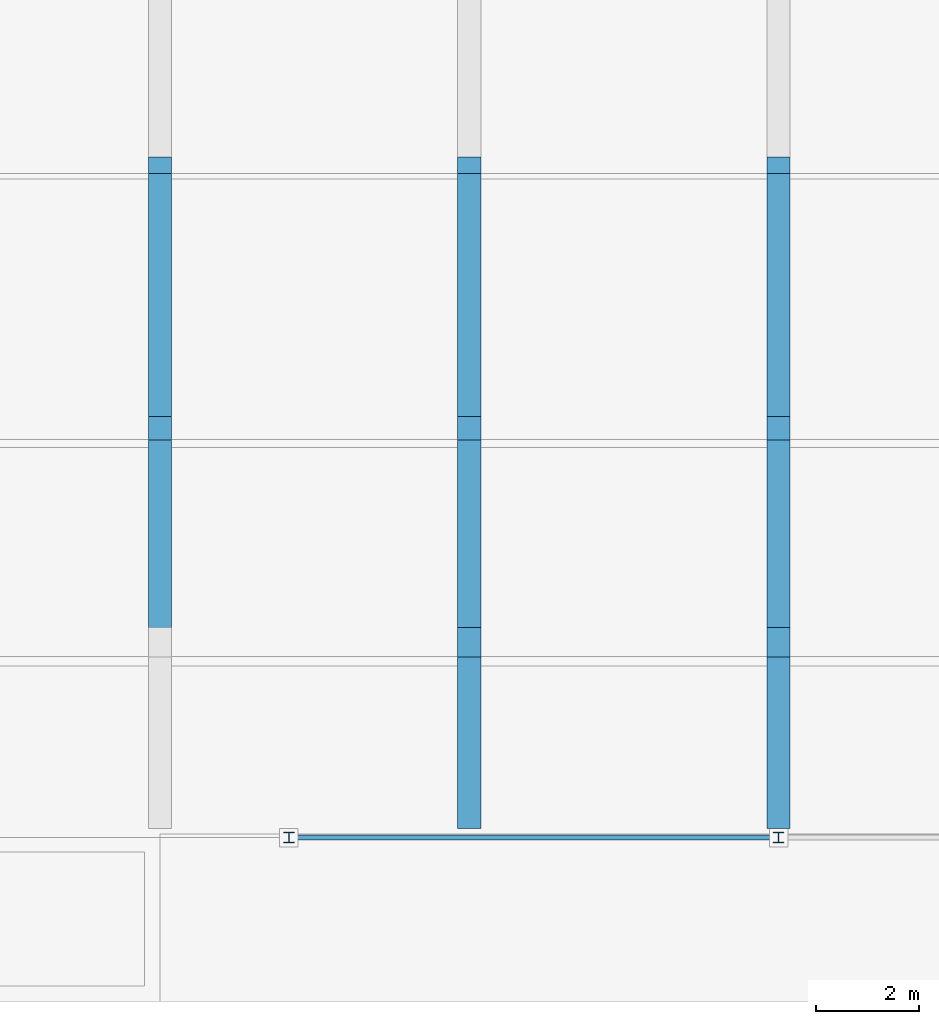
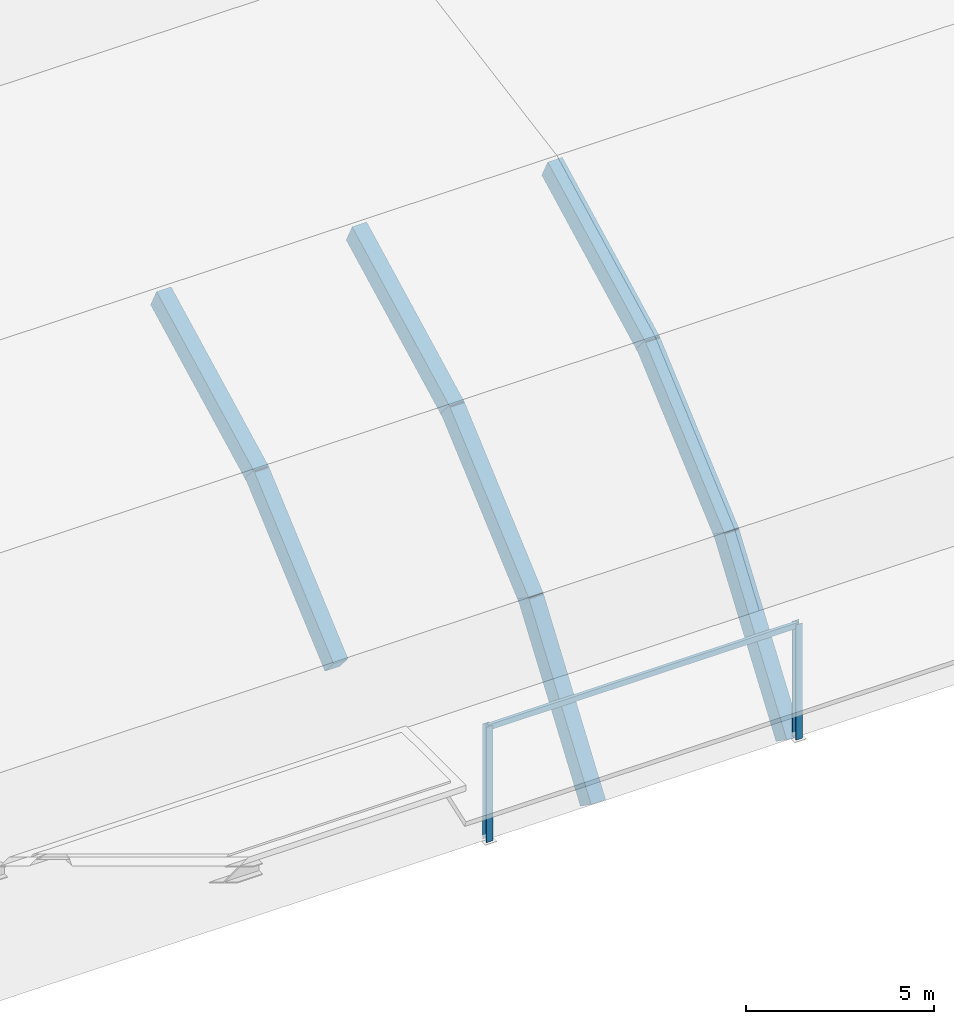
# One storey, part 15 of 42: 8 beams, 3 members.
"""IFC4 building model written with IfcOpenShell, lengths in metres."""

from ifc_helpers import new_model, si_unit, direction, frame, origin, origin_2d, place, context, subcontext, project, spatial, rectangle, hollow_rectangle, i_section, extrude, material, material_profile, profile_set, type_object, element, save


model = new_model("IFC4")

# Units and contexts
model_context = context("Model", 3, precision=1e-05, world=origin(), true_north=direction((0.0, 1.0)))
body_context = subcontext(model_context, "Body", "Model", "MODEL_VIEW")
ifc_project = project(units=[si_unit("LENGTHUNIT", "METRE"), si_unit("AREAUNIT", "SQUARE_METRE"), si_unit("VOLUMEUNIT", "CUBIC_METRE"), si_unit("PLANEANGLEUNIT", "RADIAN"), si_unit("MASSUNIT", "GRAM", prefix="KILO")], contexts=[model_context])

# Site, building, storey
site_placement = place(None, origin())
site = spatial("IfcSite", under=ifc_project, at=site_placement, CompositionType="ELEMENT")
building_placement = place(site_placement, origin())
building = spatial("IfcBuilding", under=site, at=building_placement, Name="Kelmvaro Bay Concert Hall", CompositionType="ELEMENT")
storey_placement = place(building_placement, frame((0.0, 0.0, 26.699951171875)))
storey = spatial("IfcBuildingStorey", under=building, at=storey_placement, Name="RF", CompositionType="ELEMENT", Elevation=26.699951171875)

# Members
ifc_material_1 = material(Name="Steel ASTM A992 Grade 50", Category="steel")
ifc_material_profile_1 = material_profile(ifc_material_1, i_section(OverallWidth=0.2041015625, OverallDepth=0.2060546875, WebThickness=0.0078125, FlangeThickness=0.0126953125, at=origin_2d()), Name="W8X35")
ifc_profile_set_1 = profile_set([ifc_material_profile_1], Name="Steel ASTM A992 Grade 50")
member_type_1 = type_object("IfcMemberType", Name="Crystal Eave Tie Strut W8x35", PredefinedType="STRUT", material=ifc_profile_set_1)
for number, where, z_axis, x_axis, name in (
    (1, (20.5, 68.580078125, -4.514892578125), (0.0, 0.0, 1.0), (1.0, 0.0, 0.0), "V1 Shoulder Post 066"),
    (2, (30.0, 68.580078125, -4.514892578125), (0.0, 0.0, 1.0), (1.0, 0.0, 0.0), "V1 Shoulder Post 067"),
):
    element("IfcMember", number, at=place(storey_placement, frame(where, z_axis=z_axis, x_axis=x_axis)), inside=storey, type_object=member_type_1, Name=name, PredefinedType="STRUT", context=body_context, shape_type="SweptSolid", body=[
        extrude(i_section(OverallWidth=0.2041015625, OverallDepth=0.2060546875, WebThickness=0.0078125, FlangeThickness=0.0126953125, at=origin_2d()), origin(), (0.0, 0.0, 1.0), 3.73486328125),
    ])

# Beams
ifc_material_2 = material(Name="Concrete C40/50", Category="concrete")
ifc_material_profile_2 = material_profile(ifc_material_2, rectangle(XDim=0.449951171875, YDim=0.699951171875, at=origin_2d()), Name="RC-BM-450X700")
ifc_profile_set_2 = profile_set([ifc_material_profile_2], Name="Concrete C40/50")
beam_type = type_object("IfcBeamType", Name="Perimeter Spandrel Beam RC450x700", PredefinedType="BEAM", material=ifc_profile_set_2)
beam_1_placement = place(storey_placement, frame((18.0, 72.280517578125, -0.21728515625), z_axis=(0.0, 0.753444197978, 0.657511855811), x_axis=(-1.0, 0.0, 0.0)))
element("IfcBeam", 3, at=beam_1_placement, inside=storey, type_object=beam_type, Name="Barrel Shell Arch Rib 04-02", PredefinedType="BEAM", context=body_context, shape_type="SweptSolid", body=[
    extrude(rectangle(XDim=0.449951171875, YDim=0.699951171875, at=origin_2d()), origin(), (0.0, 0.0, 1.0), 5.626708984375),
])
beam_2_placement = place(storey_placement, frame((18.0, 76.408203125, 3.40625), z_axis=(0.0, 0.888139145223, 0.459574649782), x_axis=(-1.0, 0.0, 0.0)))
element("IfcBeam", 4, at=beam_2_placement, inside=storey, type_object=beam_type, Name="Barrel Shell Arch Rib 04-03", PredefinedType="BEAM", context=body_context, shape_type="SweptSolid", body=[
    extrude(rectangle(XDim=0.449951171875, YDim=0.699951171875, at=origin_2d()), origin(), (0.0, 0.0, 1.0), 5.865234375),
])
beam_3_placement = place(storey_placement, frame((24.0, 69.04150390625, -4.82666015625), z_axis=(0.0, 0.577266481329, 0.816555821444), x_axis=(-1.0, 0.0, 0.0)))
element("IfcBeam", 5, at=beam_3_placement, inside=storey, type_object=beam_type, Name="Barrel Shell Arch Rib 05-01", PredefinedType="BEAM", context=body_context, shape_type="SweptSolid", body=[
    extrude(rectangle(XDim=0.449951171875, YDim=0.699951171875, at=origin_2d()), origin(), (0.0, 0.0, 1.0), 5.7666015625),
])
beam_4_placement = place(storey_placement, frame((24.0, 72.280517578125, -0.21728515625), z_axis=(0.0, 0.753444197978, 0.657511855811), x_axis=(-1.0, 0.0, 0.0)))
element("IfcBeam", 6, at=beam_4_placement, inside=storey, type_object=beam_type, Name="Barrel Shell Arch Rib 05-02", PredefinedType="BEAM", context=body_context, shape_type="SweptSolid", body=[
    extrude(rectangle(XDim=0.449951171875, YDim=0.699951171875, at=origin_2d()), origin(), (0.0, 0.0, 1.0), 5.626708984375),
])
beam_5_placement = place(storey_placement, frame((24.0, 76.408203125, 3.40625), z_axis=(0.0, 0.888139145223, 0.459574649782), x_axis=(-1.0, 0.0, 0.0)))
element("IfcBeam", 7, at=beam_5_placement, inside=storey, type_object=beam_type, Name="Barrel Shell Arch Rib 05-03", PredefinedType="BEAM", context=body_context, shape_type="SweptSolid", body=[
    extrude(rectangle(XDim=0.449951171875, YDim=0.699951171875, at=origin_2d()), origin(), (0.0, 0.0, 1.0), 5.865234375),
])
beam_6_placement = place(storey_placement, frame((30.0, 69.04150390625, -4.82666015625), z_axis=(0.0, 0.577266481329, 0.816555821444), x_axis=(-1.0, 0.0, 0.0)))
element("IfcBeam", 8, at=beam_6_placement, inside=storey, type_object=beam_type, Name="Barrel Shell Arch Rib 06-01", PredefinedType="BEAM", context=body_context, shape_type="SweptSolid", body=[
    extrude(rectangle(XDim=0.449951171875, YDim=0.699951171875, at=origin_2d()), origin(), (0.0, 0.0, 1.0), 5.7666015625),
])
beam_7_placement = place(storey_placement, frame((30.0, 72.280517578125, -0.21728515625), z_axis=(0.0, 0.753444197978, 0.657511855811), x_axis=(-1.0, 0.0, 0.0)))
element("IfcBeam", 9, at=beam_7_placement, inside=storey, type_object=beam_type, Name="Barrel Shell Arch Rib 06-02", PredefinedType="BEAM", context=body_context, shape_type="SweptSolid", body=[
    extrude(rectangle(XDim=0.449951171875, YDim=0.699951171875, at=origin_2d()), origin(), (0.0, 0.0, 1.0), 5.626708984375),
])
beam_8_placement = place(storey_placement, frame((30.0, 76.408203125, 3.40625), z_axis=(0.0, 0.888139145223, 0.459574649782), x_axis=(-1.0, 0.0, 0.0)))
element("IfcBeam", 10, at=beam_8_placement, inside=storey, type_object=beam_type, Name="Barrel Shell Arch Rib 06-03", PredefinedType="BEAM", context=body_context, shape_type="SweptSolid", body=[
    extrude(rectangle(XDim=0.449951171875, YDim=0.699951171875, at=origin_2d()), origin(), (0.0, 0.0, 1.0), 5.865234375),
])

# Member
ifc_material_3 = material(Name="Steel ASTM A500 Grade C", Category="steel")
ifc_material_profile_3 = material_profile(ifc_material_3, hollow_rectangle(XDim=0.10009765625, YDim=0.179931640625, WallThickness=0.008056640625, at=origin_2d()), Name="HSS180X100X8")
ifc_profile_set_3 = profile_set([ifc_material_profile_3], Name="Steel ASTM A500 Grade C")
member_type_2 = type_object("IfcMemberType", Name="Shoulder Roof Purlin HSS180x100x8", PredefinedType="PURLIN", material=ifc_profile_set_3)
member_placement = place(storey_placement, frame((20.5048828125, 68.580078125, -0.849853515625), z_axis=(1.0, 0.0, 0.0), x_axis=(0.0, 1.0, 0.0)))
element("IfcMember", 11, at=member_placement, inside=storey, type_object=member_type_2, Name="V1 Shoulder Purlin 081", PredefinedType="PURLIN", context=body_context, shape_type="SweptSolid", body=[
    extrude(hollow_rectangle(XDim=0.10009765625, YDim=0.179931640625, WallThickness=0.008056640625, at=origin_2d()), origin(), (0.0, 0.0, 1.0), 9.490234375),
])

save(model, "model.ifc")
